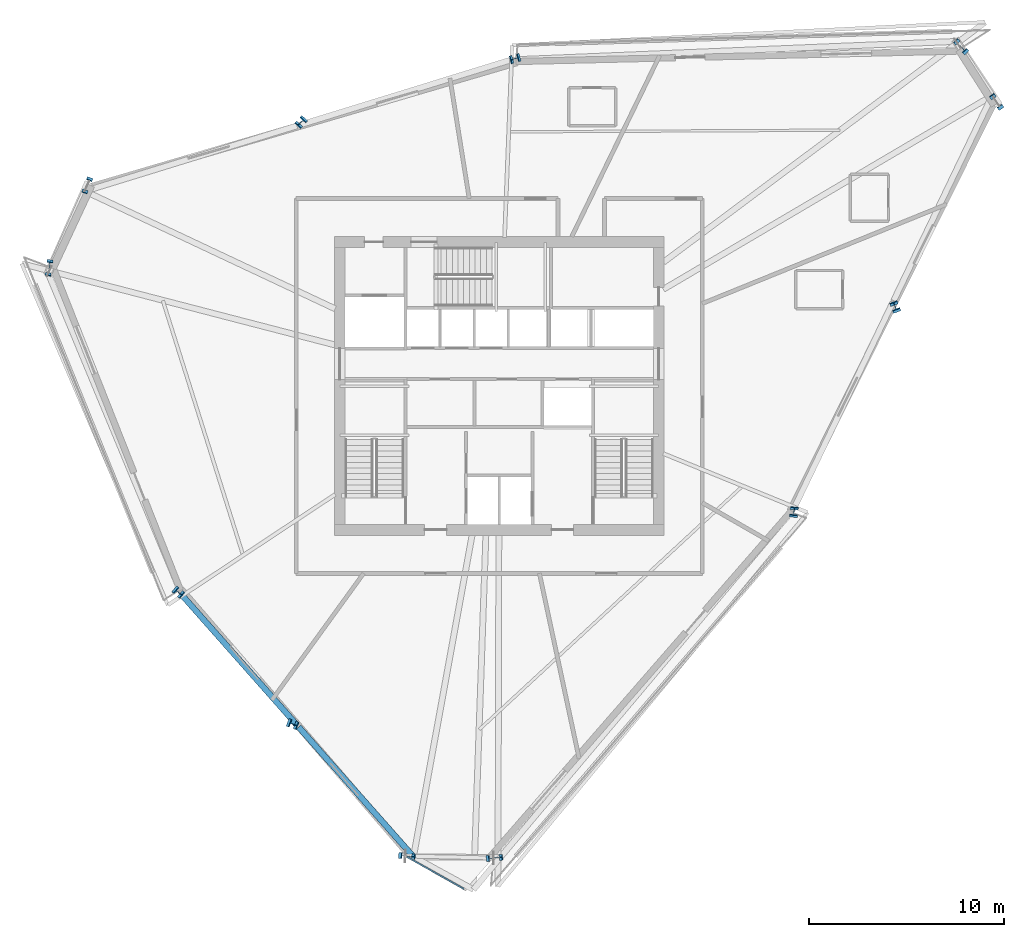
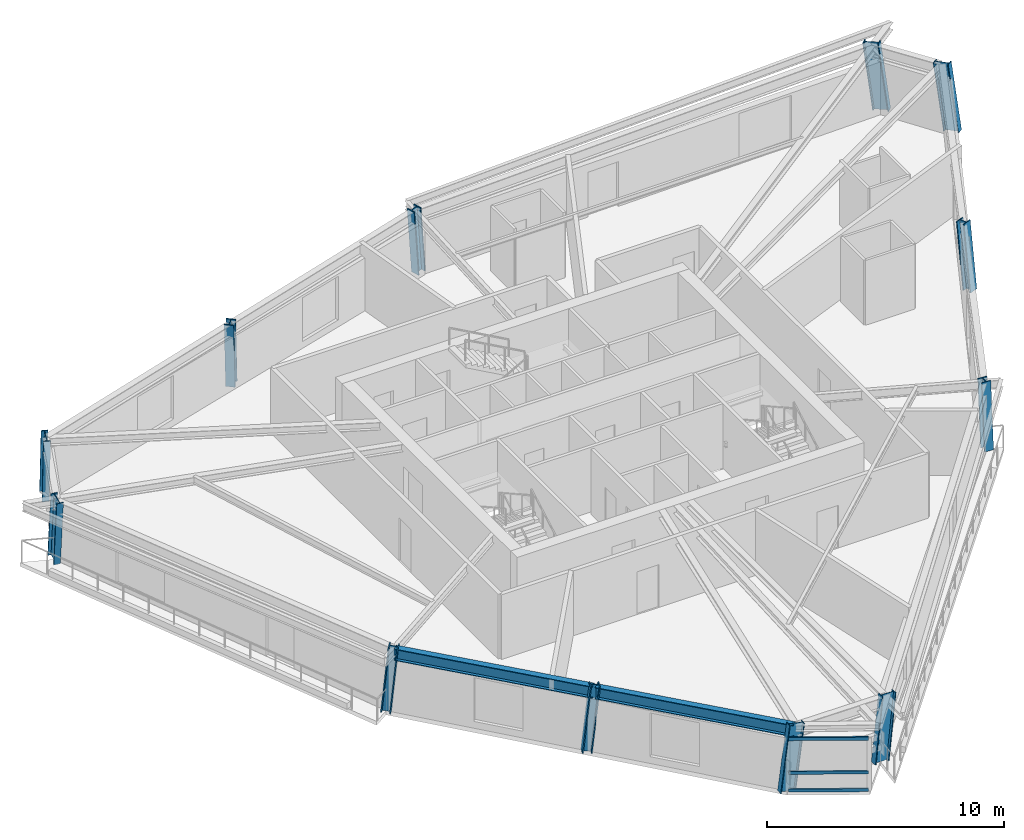
# One storey, part 1 of 13: 12 columns, 3 members, 2 beams, 1 element without a shape of its own.
"""IFC4 building model written with IfcOpenShell, lengths in metres."""

from ifc_helpers import new_model, si_unit, direction, frame, origin, origin_2d, place, context, subcontext, project, spatial, hollow_rectangle, i_section, extrude, source, transform, mapped, material, material_profile, profile_set, type_object, element, aggregate, save


model = new_model("IFC4")

# Units and contexts
model_context = context("Model", 3, precision=1e-05, world=origin(), true_north=direction((0.0, 1.0)))
body_context = subcontext(model_context, "Body", "Model", "MODEL_VIEW")
ifc_project = project(units=[si_unit("LENGTHUNIT", "METRE"), si_unit("AREAUNIT", "SQUARE_METRE"), si_unit("VOLUMEUNIT", "CUBIC_METRE"), si_unit("PLANEANGLEUNIT", "RADIAN"), si_unit("MASSUNIT", "GRAM", prefix="KILO")], contexts=[model_context])

# Site, building, storey
site_placement = place(None, origin())
site = spatial("IfcSite", under=ifc_project, at=site_placement, CompositionType="ELEMENT")
building_placement = place(site_placement, origin())
building = spatial("IfcBuilding", under=site, at=building_placement, Name="Olszyna Solenne Hotel", CompositionType="ELEMENT")
storey_placement = place(building_placement, frame((0.0, 0.0, 167.89990234375)))
storey = spatial("IfcBuildingStorey", under=building, at=storey_placement, Name="L44", CompositionType="ELEMENT", Elevation=167.89990234375)

# Columns
ifc_material_1 = material(Name="Steel S460M", Category="steel")
ifc_material_profile_1 = material_profile(ifc_material_1, i_section(OverallWidth=0.303955078125, OverallDepth=0.716064453125, WebThickness=0.02099609375, FlangeThickness=0.0400390625, at=origin_2d()), Name="HEM 700", Category="load-bearing")
ifc_profile_set_1 = profile_set([ifc_material_profile_1], Name="Steel S460M")
column_type_1 = type_object("IfcColumnType", Name="COL-K2", PredefinedType="COLUMN", material=ifc_profile_set_1)
shared_shape_1 = source(origin(), body_context, "Body", "SweptSolid", [
    extrude(i_section(OverallWidth=0.303955078125, OverallDepth=0.716064453125, WebThickness=0.02099609375, FlangeThickness=0.0400390625, at=origin_2d()), origin(), (0.0, 0.0, 1.0), 3.404296875),
])
column_1_placement = place(storey_placement, frame((37.6923828125, 2.41943359375, 0.0), z_axis=(0.105710612855, 0.009251471546, 0.994353899074), x_axis=(-0.08718371796, 0.996192250182, 0.0)))
element("IfcColumn", 1, at=column_1_placement, inside=storey, type_object=column_type_1, Name="Perimeter framed-tube column COL-K2 C-L44-10", PredefinedType="COLUMN", context=body_context, shape_type="MappedRepresentation", body=[
    mapped(shared_shape_1, transform((0.0, 0.0, 0.0), x_axis=(1.0, 0.0, 0.0), y_axis=(0.0, 1.0, 0.0), z_axis=(0.0, 0.0, 1.0), scale=1.0)),
])
ifc_material_profile_2 = material_profile(ifc_material_1, i_section(OverallWidth=0.412109375, OverallDepth=0.43505859375, WebThickness=0.031494140625, FlangeThickness=0.050048828125, at=origin_2d()), Name="HD 400x463", Category="load-bearing")
ifc_profile_set_2 = profile_set([ifc_material_profile_2], Name="Steel S460M")
column_type_2 = type_object("IfcColumnType", Name="COL-T3", PredefinedType="COLUMN", material=ifc_profile_set_2)
shared_shape_2 = source(origin(), body_context, "Body", "SweptSolid", [
    extrude(i_section(OverallWidth=0.412109375, OverallDepth=0.43505859375, WebThickness=0.031494140625, FlangeThickness=0.050048828125, at=origin_2d()), origin(), (0.0, 0.0, 1.0), 3.395751953125),
])
column_2_placement = place(storey_placement, frame((38.858154296875, 43.380859375, 0.0), z_axis=(-0.075996034496, -0.022072641997, 0.996863782679), x_axis=(0.278918309756, -0.96031483196, 0.0)))
element("IfcColumn", 2, at=column_2_placement, inside=storey, type_object=column_type_2, Name="Perimeter framed-tube column COL-T3 C-L44-03", PredefinedType="COLUMN", context=body_context, shape_type="MappedRepresentation", body=[
    mapped(shared_shape_2, transform((0.0, 0.0, 0.0), x_axis=(1.0, 0.0, 0.0), y_axis=(0.0, 1.0, 0.0), z_axis=(0.0, 0.0, 1.0), scale=1.0)),
])
shared_shape_3 = source(origin(), body_context, "Body", "SweptSolid", [
    extrude(i_section(OverallWidth=0.412109375, OverallDepth=0.43505859375, WebThickness=0.031494140625, FlangeThickness=0.050048828125, at=origin_2d()), origin(), (0.0, 0.0, 1.0), 3.39794921875),
])
column_3_placement = place(storey_placement, frame((27.88916015625, 40.162109375, 0.0), z_axis=(-0.058556458382, -0.064807270504, 0.996178276651), x_axis=(0.741983837504, -0.67041776892, 0.0)))
element("IfcColumn", 3, at=column_3_placement, inside=storey, type_object=column_type_2, Name="Perimeter framed-tube column COL-T3 C-L44-04", PredefinedType="COLUMN", context=body_context, shape_type="MappedRepresentation", body=[
    mapped(shared_shape_3, transform((0.0, 0.0, 0.0), x_axis=(1.0, 0.0, 0.0), y_axis=(0.0, 1.0, 0.0), z_axis=(0.0, 0.0, 1.0), scale=1.0)),
])
shared_shape_4 = source(origin(), body_context, "Body", "SweptSolid", [
    extrude(i_section(OverallWidth=0.303955078125, OverallDepth=0.716064453125, WebThickness=0.02099609375, FlangeThickness=0.0400390625, at=origin_2d()), origin(), (0.0, 0.0, 1.0), 3.407470703125),
])
column_4_placement = place(storey_placement, frame((16.92041015625, 36.943115234375, 0.0), z_axis=(-0.041054274856, -0.10711368396, 0.993398814789), x_axis=(0.93376351217, -0.357890630417, 0.0)))
element("IfcColumn", 4, at=column_4_placement, inside=storey, type_object=column_type_1, Name="Perimeter framed-tube column COL-K2 C-L44-05", PredefinedType="COLUMN", context=body_context, shape_type="MappedRepresentation", body=[
    mapped(shared_shape_4, transform((0.0, 0.0, 0.0), x_axis=(1.0, 0.0, 0.0), y_axis=(0.0, 1.0, 0.0), z_axis=(0.0, 0.0, 1.0), scale=1.0)),
])
shared_shape_5 = source(origin(), body_context, "Body", "SweptSolid", [
    extrude(i_section(OverallWidth=0.412109375, OverallDepth=0.43505859375, WebThickness=0.031494140625, FlangeThickness=0.050048828125, at=origin_2d()), origin(), (0.0, 0.0, 1.0), 3.396484375),
])
column_5_placement = place(storey_placement, frame((53.091064453125, 20.0927734375, 0.0), z_axis=(0.00718813238, 0.081657183832, 0.996634554429), x_axis=(-0.996147893688, 0.087689075149, 0.0)))
element("IfcColumn", 5, at=column_5_placement, inside=storey, type_object=column_type_2, Name="Perimeter framed-tube column COL-T3 C-L44-11", PredefinedType="COLUMN", context=body_context, shape_type="MappedRepresentation", body=[
    mapped(shared_shape_5, transform((0.0, 0.0, 0.0), x_axis=(1.0, 0.0, 0.0), y_axis=(0.0, 1.0, 0.0), z_axis=(0.0, 0.0, 1.0), scale=1.0)),
])
shared_shape_6 = source(origin(), body_context, "Body", "SweptSolid", [
    extrude(i_section(OverallWidth=0.412109375, OverallDepth=0.43505859375, WebThickness=0.031494140625, FlangeThickness=0.050048828125, at=origin_2d()), origin(), (0.0, 0.0, 1.0), 3.40380859375),
])
column_6_placement = place(storey_placement, frame((58.308837890625, 30.58740234375, 0.0), z_axis=(-0.037225683015, 0.098120875462, 0.994478025058), x_axis=(-0.934974079161, -0.354716043191, 0.0)))
element("IfcColumn", 6, at=column_6_placement, inside=storey, type_object=column_type_2, Name="Perimeter framed-tube column COL-T3 C-L44-12", PredefinedType="COLUMN", context=body_context, shape_type="MappedRepresentation", body=[
    mapped(shared_shape_6, transform((0.0, 0.0, 0.0), x_axis=(1.0, 0.0, 0.0), y_axis=(0.0, 1.0, 0.0), z_axis=(0.0, 0.0, 1.0), scale=1.0)),
])
shared_shape_7 = source(origin(), body_context, "Body", "SweptSolid", [
    extrude(i_section(OverallWidth=0.303955078125, OverallDepth=0.716064453125, WebThickness=0.02099609375, FlangeThickness=0.0400390625, at=origin_2d()), origin(), (0.0, 0.0, 1.0), 3.418701171875),
])
column_7_placement = place(storey_placement, frame((63.526611328125, 41.082275390625, 0.0), z_axis=(-0.081267043669, 0.114188051693, 0.99012966649), x_axis=(-0.814730664559, -0.579839584908, 0.0)))
element("IfcColumn", 7, at=column_7_placement, inside=storey, type_object=column_type_1, Name="Perimeter framed-tube column COL-K2 C-L44-01", PredefinedType="COLUMN", context=body_context, shape_type="MappedRepresentation", body=[
    mapped(shared_shape_7, transform((0.0, 0.0, 0.0), x_axis=(1.0, 0.0, 0.0), y_axis=(0.0, 1.0, 0.0), z_axis=(0.0, 0.0, 1.0), scale=1.0)),
])
shared_shape_8 = source(origin(), body_context, "Body", "SweptSolid", [
    extrude(i_section(OverallWidth=0.303955078125, OverallDepth=0.716064453125, WebThickness=0.02099609375, FlangeThickness=0.0400390625, at=origin_2d()), origin(), (0.0, 0.0, 1.0), 3.414306640625),
])
column_8_placement = place(storey_placement, frame((61.714599609375, 43.920654296875, 0.0), z_axis=(-0.08816571419, 0.096531803858, 0.991417378144), x_axis=(-0.738378914552, -0.67438607529, 0.0)))
element("IfcColumn", 8, at=column_8_placement, inside=storey, type_object=column_type_1, Name="Perimeter framed-tube column COL-K2 C-L44-02", PredefinedType="COLUMN", context=body_context, shape_type="MappedRepresentation", body=[
    mapped(shared_shape_8, transform((0.0, 0.0, 0.0), x_axis=(1.0, 0.0, 0.0), y_axis=(0.0, 1.0, 0.0), z_axis=(0.0, 0.0, 1.0), scale=1.0)),
])
shared_shape_9 = source(origin(), body_context, "Body", "SweptSolid", [
    extrude(i_section(OverallWidth=0.303955078125, OverallDepth=0.716064453125, WebThickness=0.02099609375, FlangeThickness=0.0400390625, at=origin_2d()), origin(), (0.0, 0.0, 1.0), 3.403076171875),
])
column_9_placement = place(storey_placement, frame((14.947998046875, 32.71337890625, 0.0), z_axis=(-0.015065306338, -0.102013645775, 0.994668916082), x_axis=(0.989270592678, -0.146094813265, 0.0)))
element("IfcColumn", 9, at=column_9_placement, inside=storey, type_object=column_type_1, Name="Perimeter framed-tube column COL-K2 C-L44-06", PredefinedType="COLUMN", context=body_context, shape_type="MappedRepresentation", body=[
    mapped(shared_shape_9, transform((0.0, 0.0, 0.0), x_axis=(1.0, 0.0, 0.0), y_axis=(0.0, 1.0, 0.0), z_axis=(0.0, 0.0, 1.0), scale=1.0)),
])
shared_shape_10 = source(origin(), body_context, "Body", "SweptSolid", [
    extrude(i_section(OverallWidth=0.412109375, OverallDepth=0.43505859375, WebThickness=0.031494140625, FlangeThickness=0.050048828125, at=origin_2d()), origin(), (0.0, 0.0, 1.0), 3.400146484375),
])
column_10_placement = place(storey_placement, frame((21.518798828125, 16.073486328125, 0.0), z_axis=(0.072518626015, -0.060743324365, 0.995515593763), x_axis=(0.642123433795, 0.766601262568, 0.0)))
element("IfcColumn", 10, at=column_10_placement, inside=storey, type_object=column_type_2, Name="Perimeter framed-tube column COL-T3 C-L44-07", PredefinedType="COLUMN", context=body_context, shape_type="MappedRepresentation", body=[
    mapped(shared_shape_10, transform((0.0, 0.0, 0.0), x_axis=(1.0, 0.0, 0.0), y_axis=(0.0, 1.0, 0.0), z_axis=(0.0, 0.0, 1.0), scale=1.0)),
])
shared_shape_11 = source(origin(), body_context, "Body", "SweptSolid", [
    extrude(i_section(OverallWidth=0.412109375, OverallDepth=0.43505859375, WebThickness=0.031494140625, FlangeThickness=0.050048828125, at=origin_2d()), origin(), (0.0, 0.0, 1.0), 3.403076171875),
])
column_11_placement = place(storey_placement, frame((27.3583984375, 9.29736328125, 0.0), z_axis=(0.096490730559, -0.03608538102, 0.994679538441), x_axis=(0.350283817475, 0.936643607364, 0.0)))
element("IfcColumn", 11, at=column_11_placement, inside=storey, type_object=column_type_2, Name="Perimeter framed-tube column COL-T3 C-L44-08", PredefinedType="COLUMN", context=body_context, shape_type="MappedRepresentation", body=[
    mapped(shared_shape_11, transform((0.0, 0.0, 0.0), x_axis=(1.0, 0.0, 0.0), y_axis=(0.0, 1.0, 0.0), z_axis=(0.0, 0.0, 1.0), scale=1.0)),
])
shared_shape_12 = source(origin(), body_context, "Body", "SweptSolid", [
    extrude(i_section(OverallWidth=0.303955078125, OverallDepth=0.716064453125, WebThickness=0.02099609375, FlangeThickness=0.0400390625, at=origin_2d()), origin(), (0.0, 0.0, 1.0), 3.409912109375),
])
column_12_placement = place(storey_placement, frame((33.197998046875, 2.521484375, 0.0), z_axis=(0.120209949766, -0.011598577643, 0.992680734664), x_axis=(0.096039994691, 0.995377475845, 0.0)))
element("IfcColumn", 12, at=column_12_placement, inside=storey, type_object=column_type_1, Name="Perimeter framed-tube column COL-K2 C-L44-09", PredefinedType="COLUMN", context=body_context, shape_type="MappedRepresentation", body=[
    mapped(shared_shape_12, transform((0.0, 0.0, 0.0), x_axis=(1.0, 0.0, 0.0), y_axis=(0.0, 1.0, 0.0), z_axis=(0.0, 0.0, 1.0), scale=1.0)),
])

# Beams
ifc_material_2 = material(Name="Steel S355J2", Category="steel")
ifc_material_profile_3 = material_profile(ifc_material_2, i_section(OverallWidth=0.300048828125, OverallDepth=0.60009765625, WebThickness=0.015380859375, FlangeThickness=0.030029296875, at=origin_2d()), Name="HEB 600", Category="load-bearing")
ifc_profile_set_3 = profile_set([ifc_material_profile_3], Name="Steel S355J2")
beam_type = type_object("IfcBeamType", Name="BM-S2", PredefinedType="BEAM", material=ifc_profile_set_3)
shared_shape_13 = source(origin(), body_context, "Body", "SweptSolid", [
    extrude(i_section(OverallWidth=0.300048828125, OverallDepth=0.60009765625, WebThickness=0.015380859375, FlangeThickness=0.030029296875, at=origin_2d()), origin(), (0.0, 0.0, 1.0), 8.815673828125),
])
beam_1_placement = place(storey_placement, frame((21.805419921875, 15.822021484375, 3.030029296875), z_axis=(0.662627659173, -0.748948987114, 0.0), x_axis=(0.748948987114, 0.662627659173, 0.0)))
element("IfcBeam", 13, at=beam_1_placement, inside=storey, type_object=beam_type, Name="Perimeter spandrel beam BM-S2 B-L44-1310", PredefinedType="BEAM", context=body_context, shape_type="MappedRepresentation", body=[
    mapped(shared_shape_13, transform((0.0, 0.0, 0.0), x_axis=(1.0, 0.0, 0.0), y_axis=(0.0, 1.0, 0.0), z_axis=(0.0, 0.0, 1.0), scale=1.0)),
])
shared_shape_14 = source(origin(), body_context, "Body", "SweptSolid", [
    extrude(i_section(OverallWidth=0.300048828125, OverallDepth=0.60009765625, WebThickness=0.015380859375, FlangeThickness=0.030029296875, at=origin_2d()), origin(), (0.0, 0.0, 1.0), 8.81591796875),
])
beam_2_placement = place(storey_placement, frame((27.7265625, 9.129638671875, 3.030029296875), z_axis=(0.662613915664, -0.748961146368, 0.0), x_axis=(0.748961146368, 0.662613915664, 0.0)))
element("IfcBeam", 14, at=beam_2_placement, inside=storey, type_object=beam_type, Name="Perimeter spandrel beam BM-S2 B-L44-1311", PredefinedType="BEAM", context=body_context, shape_type="MappedRepresentation", body=[
    mapped(shared_shape_14, transform((0.0, 0.0, 0.0), x_axis=(1.0, 0.0, 0.0), y_axis=(0.0, 1.0, 0.0), z_axis=(0.0, 0.0, 1.0), scale=1.0)),
])

# Curtain wall, members
ifc_material_3 = material(Name="Anodised bronze aluminium", Category="aluminium")
curtain_wall_type = type_object("IfcCurtainWallType", Name="CW-SYS-5", PredefinedType="NOTDEFINED", material=ifc_material_3)
curtain_wall_placement = place(storey_placement, origin())
curtain_wall = element("IfcCurtainWall", 15, at=curtain_wall_placement, inside=storey, type_object=curtain_wall_type, Name="Unitised curtain wall CW-SYS-5 CW-L44-02", PredefinedType="NOTDEFINED")
ifc_material_profile_4 = material_profile(ifc_material_3, hollow_rectangle(XDim=0.074951171875, YDim=0.159912109375, WallThickness=0.00390625, at=origin_2d()), Name="TRAN 160x75x4", Category="load-bearing")
ifc_profile_set_4 = profile_set([ifc_material_profile_4], Name="Anodised bronze aluminium")
member_type = type_object("IfcMemberType", Name="CW-T1", PredefinedType="USERDEFINED", material=ifc_profile_set_4)
shared_shape_15 = source(origin(), body_context, "Body", "SweptSolid", [
    extrude(hollow_rectangle(XDim=0.074951171875, YDim=0.159912109375, WallThickness=0.00390625, at=origin_2d()), origin(), (0.0, 0.0, 1.0), 3.36083984375),
])
member_1_placement = place(storey_placement, frame((33.263427734375, 2.484619140625, 0.03759765625), z_axis=(0.871523150081, -0.490354360511, 0.0), x_axis=(0.490354360511, 0.871523150081, 0.0)))
member_1 = element("IfcMember", 16, at=member_1_placement, type_object=member_type, Name="Curtain-wall transom CW-T1 CT-L44-02-01", ObjectType="TRANSOM", PredefinedType="USERDEFINED", context=body_context, shape_type="MappedRepresentation", body=[
    mapped(shared_shape_15, transform((0.0, 0.0, 0.0), x_axis=(1.0, 0.0, 0.0), y_axis=(0.0, 1.0, 0.0), z_axis=(0.0, 0.0, 1.0), scale=1.0)),
])
member_2_placement = place(storey_placement, frame((33.263427734375, 2.484619140625, 0.9501953125), z_axis=(0.871523150081, -0.490354360511, 0.0), x_axis=(0.490354360511, 0.871523150081, 0.0)))
member_2 = element("IfcMember", 17, at=member_2_placement, type_object=member_type, Name="Curtain-wall transom CW-T1 CT-L44-02-02", ObjectType="TRANSOM", PredefinedType="USERDEFINED", context=body_context, shape_type="MappedRepresentation", body=[
    mapped(shared_shape_15, transform((0.0, 0.0, 0.0), x_axis=(1.0, 0.0, 0.0), y_axis=(0.0, 1.0, 0.0), z_axis=(0.0, 0.0, 1.0), scale=1.0)),
])
member_3_placement = place(storey_placement, frame((33.263427734375, 2.484619140625, 2.6845703125), z_axis=(0.871523150081, -0.490354360511, 0.0), x_axis=(0.490354360511, 0.871523150081, 0.0)))
member_3 = element("IfcMember", 18, at=member_3_placement, type_object=member_type, Name="Curtain-wall transom CW-T1 CT-L44-02-03", ObjectType="TRANSOM", PredefinedType="USERDEFINED", context=body_context, shape_type="MappedRepresentation", body=[
    mapped(shared_shape_15, transform((0.0, 0.0, 0.0), x_axis=(1.0, 0.0, 0.0), y_axis=(0.0, 1.0, 0.0), z_axis=(0.0, 0.0, 1.0), scale=1.0)),
])
aggregate(curtain_wall, [member_1, member_2, member_3])

save(model, "model.ifc")
